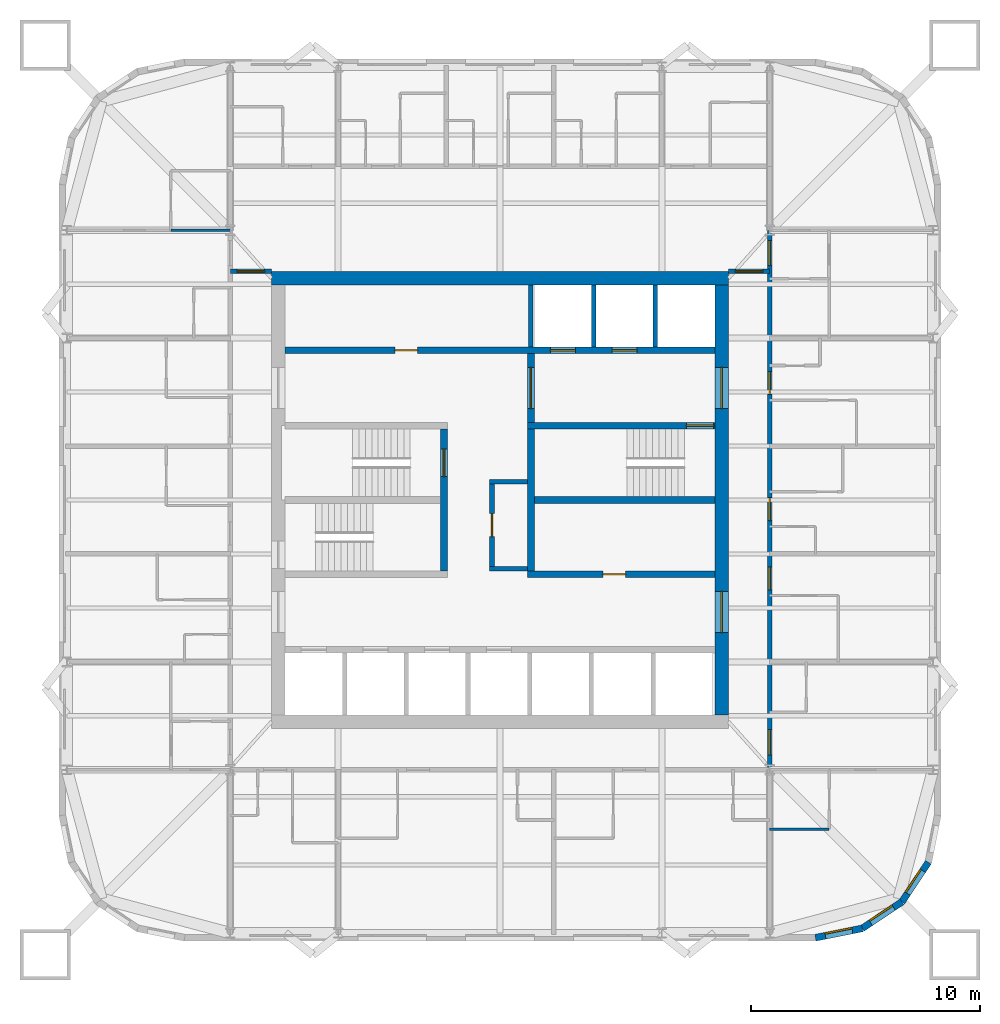
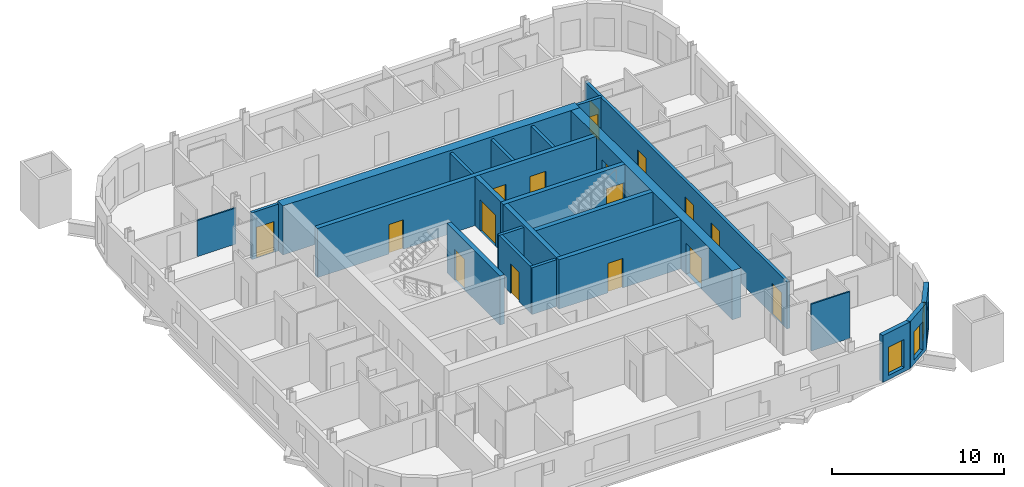
# One storey, part 5 of 10: 22 walls, 17 doors, 3 windows, 20 openings.
"""IFC4 building model written with IfcOpenShell, lengths in metres."""

import ifcopenshell
import ifcopenshell.guid

model = None  # the IFC model being written
_history = None  # IfcOwnerHistory: only IFC2X3 demands one
_inside = {}  # id of a spatial element -> (the spatial element, [elements in it])
_under = {}  # id of a project, library or spatial element -> (it, [spatial elements below it])
_declared = {}  # id of a project -> (the project, [libraries it declares])
_typed = {}  # id of a type object -> (the type object, [elements of that type])
_made_of = {}  # id of a material, layer set ... -> (it, [elements and type objects made of it])


def new_model(schema):
    """Start an empty IFC model of exactly this schema.

    Asked for "IFC4X3", IfcOpenShell would pick the latest addendum, in which some entities
    have other attributes; the version numbers below select the first issue.
    IFC2X3 requires an IfcOwnerHistory on every rooted entity: one is made here for all.
    """
    global model, _history
    if schema == "IFC4X3":
        model = ifcopenshell.file(schema_version=(4, 3, 0, 0))
    else:
        model = ifcopenshell.file(schema=schema)
    _inside.clear()
    _under.clear()
    _declared.clear()
    _typed.clear()
    _made_of.clear()
    _history = None
    if model.schema == "IFC2X3":
        org = make("IfcOrganization", Name="unknown")
        user = make(
            "IfcPersonAndOrganization",
            ThePerson=make("IfcPerson", FamilyName="unknown"),
            TheOrganization=org,
        )
        app = make(
            "IfcApplication",
            ApplicationDeveloper=org,
            Version="unknown",
            ApplicationFullName="unknown",
            ApplicationIdentifier="unknown",
        )
        _history = make(
            "IfcOwnerHistory",
            OwningUser=user,
            OwningApplication=app,
            ChangeAction="ADDED",
            CreationDate=0,
        )
    return model


def make(cls, **values):
    """One entity of the class cls with the attributes given. An attribute that is None is left unset."""
    return model.create_entity(
        cls, **{name: value for name, value in values.items() if value is not None}
    )


def rooted(cls, **values):
    """An entity with a GlobalId (a new one), such as an element, a storey or a relation."""
    return make(cls, GlobalId=ifcopenshell.guid.new(), OwnerHistory=_history, **values)


def si_unit(unit_type, name, prefix=None):
    """IfcSIUnit, for example si_unit("LENGTHUNIT", "METRE", prefix="MILLI")."""
    return make("IfcSIUnit", UnitType=unit_type, Prefix=prefix, Name=name)


def assignment(units):
    """IfcUnitAssignment: the units of a project."""
    return None if units is None else make("IfcUnitAssignment", Units=units)


def point(xyz):
    """IfcCartesianPoint."""
    return None if xyz is None else make("IfcCartesianPoint", Coordinates=xyz)


def direction(xyz):
    """IfcDirection."""
    return None if xyz is None else make("IfcDirection", DirectionRatios=xyz)


def frame(location, z_axis=None, x_axis=None):
    """IfcAxis2Placement3D, a coordinate frame: its origin and axes. An axis left out is left unset."""
    return make(
        "IfcAxis2Placement3D",
        Location=point(location),
        Axis=direction(z_axis),
        RefDirection=direction(x_axis),
    )


def frame_2d(location, x_axis=None):
    """IfcAxis2Placement2D, a coordinate frame in the plane: its origin and x axis."""
    return make(
        "IfcAxis2Placement2D", Location=point(location), RefDirection=direction(x_axis)
    )


def origin():
    """The frame at (0, 0, 0) with its axes left unset."""
    return frame((0.0, 0.0, 0.0))


def place(relative_to, where):
    """IfcLocalPlacement: puts the frame where relative to a parent placement (None: the world)."""
    return make(
        "IfcLocalPlacement", PlacementRelTo=relative_to, RelativePlacement=where
    )


def context(
    kind, dimensions, precision=None, world=None, true_north=None, identifier=None
):
    """IfcGeometricRepresentationContext, for example the 3D "Model" context."""
    return make(
        "IfcGeometricRepresentationContext",
        ContextIdentifier=identifier,
        ContextType=kind,
        CoordinateSpaceDimension=dimensions,
        Precision=precision,
        WorldCoordinateSystem=world,
        TrueNorth=true_north,
    )


def subcontext(parent, identifier, kind, view, scale=None):
    """IfcGeometricRepresentationSubContext, for example "Body" below "Model"."""
    return make(
        "IfcGeometricRepresentationSubContext",
        ContextIdentifier=identifier,
        ContextType=kind,
        ParentContext=parent,
        TargetScale=scale,
        TargetView=view,
    )


def project(units=None, contexts=None):
    """IfcProject with its units and contexts."""
    return rooted(
        "IfcProject",
        Name="project",
        RepresentationContexts=contexts,
        UnitsInContext=assignment(units),
    )


def spatial(cls, under=None, at=None, **own):
    """A site, building, storey or space (cls), placed at a placement, below another one or the project."""
    s = rooted(cls, ObjectPlacement=at, **own)
    if under is not None:
        _under.setdefault(under.id(), (under, []))[1].append(s)
    return s


def profile(cls, at=None, kind="AREA", **sizes):
    """A parametric profile (cls). Its sizes go by their IFC names, for example OverallWidth=200.0."""
    return make(cls, ProfileType=kind, Position=at, **sizes)


def rectangle(**sizes):
    """IfcRectangleProfileDef."""
    return profile("IfcRectangleProfileDef", **sizes)


def extrude(swept, where, along, depth):
    """IfcExtrudedAreaSolid: the profile swept, set in the frame where, extruded along a direction by depth."""
    return make(
        "IfcExtrudedAreaSolid",
        SweptArea=swept,
        Position=where,
        ExtrudedDirection=direction(along),
        Depth=depth,
    )


def shape(context_of_items, identifier, shape_type, items):
    """IfcShapeRepresentation: the items that make up one representation, for example the "Body"."""
    return make(
        "IfcShapeRepresentation",
        ContextOfItems=context_of_items,
        RepresentationIdentifier=identifier,
        RepresentationType=shape_type,
        Items=items,
    )


def material(Name=None, Category=None):
    """IfcMaterial."""
    return make("IfcMaterial", Name=Name, Category=Category)


def layer(
    of_material, thickness, ventilated=None, Name=None, Category=None, Priority=None
):
    """IfcMaterialLayer: one layer of a wall or slab, of a material (None: an air gap)."""
    return make(
        "IfcMaterialLayer",
        Material=of_material,
        LayerThickness=thickness,
        IsVentilated=ventilated,
        Name=Name,
        Category=Category,
        Priority=Priority,
    )


def layer_set(layers, Name=None):
    """IfcMaterialLayerSet."""
    return make("IfcMaterialLayerSet", MaterialLayers=layers, LayerSetName=Name)


def made_of(thing, what):
    """Note that an element or type object is made of a material, layer set ...; save() writes the relation."""
    if what is not None:
        _made_of.setdefault(what.id(), (what, []))[1].append(thing)
    return thing


def type_object(cls, material=None, **own):
    """A type object (cls), such as IfcWallType, which elements share."""
    return made_of(rooted(cls, **own), material)


def element(
    cls,
    number,
    at=None,
    inside=None,
    cuts=None,
    type_object=None,
    material=None,
    context=None,
    identifier="Body",
    shape_type=None,
    held_by="IfcProductDefinitionShape",
    body=None,
    shapes=None,
    **own,
):
    """One element of the class cls, such as IfcWall. Its Tag is "e" and its number.

    at: its placement. inside: the storey or other place that contains it. cuts: it is an
    opening in that element (IfcRelVoidsElement). A single representation is given by context,
    identifier, shape_type and body (its items); several are given by shapes. held_by: the class
    of the entity that holds the representations. save() writes the other relations.
    """
    e = rooted(cls, Tag="e%d" % number, ObjectPlacement=at, **own)
    if body is not None:
        shapes = [shape(context, identifier, shape_type, body)]
    if shapes is not None:
        e.Representation = make(held_by, Representations=shapes)
    if inside is not None:
        _inside.setdefault(inside.id(), (inside, []))[1].append(e)
    if cuts is not None:
        rooted(
            "IfcRelVoidsElement", RelatingBuildingElement=cuts, RelatedOpeningElement=e
        )
    if type_object is not None:
        _typed.setdefault(type_object.id(), (type_object, []))[1].append(e)
    return made_of(e, material)


def fill(opening, filler):
    """IfcRelFillsElement: the door or window that sits in an opening."""
    return rooted(
        "IfcRelFillsElement",
        RelatingOpeningElement=opening,
        RelatedBuildingElement=filler,
    )


def aggregate(whole, parts):
    """IfcRelAggregates: a whole, such as a stair, and the parts it consists of."""
    return rooted("IfcRelAggregates", RelatingObject=whole, RelatedObjects=parts)


def save(model, path):
    """Write the relations noted so far, then the file.

    IfcRelAggregates (storeys below a building ...), IfcRelContainedInSpatialStructure (elements
    in a storey), IfcRelDefinesByType, IfcRelAssociatesMaterial and IfcRelDeclares: one each for
    every whole, place, type object, material and project.
    """
    for whole, parts in _under.values():
        aggregate(whole, parts)
    for where, things in _inside.values():
        rooted(
            "IfcRelContainedInSpatialStructure",
            RelatedElements=things,
            RelatingStructure=where,
        )
    for kind, things in _typed.values():
        rooted("IfcRelDefinesByType", RelatedObjects=things, RelatingType=kind)
    for what, things in _made_of.values():
        rooted("IfcRelAssociatesMaterial", RelatedObjects=things, RelatingMaterial=what)
    for by, libraries in _declared.values():
        rooted("IfcRelDeclares", RelatingContext=by, RelatedDefinitions=libraries)
    model.write(path)


model = new_model("IFC4")

# Units and contexts
model_context = context("Model", 3, precision=1e-05, world=origin(), true_north=direction((0.0, 1.0)))
body_context = subcontext(model_context, "Body", "Model", "MODEL_VIEW")
ifc_project = project(units=[si_unit("LENGTHUNIT", "METRE"), si_unit("AREAUNIT", "SQUARE_METRE"), si_unit("VOLUMEUNIT", "CUBIC_METRE"), si_unit("PLANEANGLEUNIT", "RADIAN"), si_unit("MASSUNIT", "GRAM", prefix="KILO")], contexts=[model_context])

# Site, building, storey
site_placement = place(None, origin())
site = spatial("IfcSite", under=ifc_project, at=site_placement, CompositionType="ELEMENT")
building_placement = place(site_placement, origin())
building = spatial("IfcBuilding", under=site, at=building_placement, Name="Turquesa Mirador Hotel Tower", CompositionType="ELEMENT")
storey_placement = place(building_placement, frame((0.0, 0.0, 179.300048828125)))
storey = spatial("IfcBuildingStorey", under=building, at=storey_placement, Name="L48", CompositionType="ELEMENT", Elevation=179.300048828125)

# Walls
ifc_material_1 = material(Name="Gypsum board on steel studs", Category="steel")
ifc_layer_1 = layer(ifc_material_1, 0.10009765625)
ifc_layer_set_1 = layer_set([ifc_layer_1], Name="BATHROOM WALL 100")
wall_type_1 = type_object("IfcWallType", Name="BATHROOM WALL 100", PredefinedType="PARTITIONING", material=ifc_layer_set_1)
wall_1_placement = place(storey_placement, frame((66.800048828125, 30.60009765625, 0.0), z_axis=(0.0, 0.0, 1.0), x_axis=(1.0, 0.0, 0.0)))
element("IfcWall", 1, at=wall_1_placement, inside=storey, type_object=wall_type_1, Name="Partition L48 010", PredefinedType="PARTITIONING", context=body_context, shape_type="SweptSolid", body=[
    extrude(rectangle(XDim=2.599853515625, YDim=0.10009765625, at=frame_2d((1.2998046875, 0.0))), origin(), (0.0, 0.0, 1.0), 3.329833984375),
])
wall_2_placement = place(storey_placement, frame((40.60009765625, 56.800048828125, 0.0), z_axis=(0.0, 0.0, 1.0), x_axis=(1.0, 0.0, 0.0)))
element("IfcWall", 2, at=wall_2_placement, inside=storey, type_object=wall_type_1, Name="Partition L48 026", PredefinedType="PARTITIONING", context=body_context, shape_type="SweptSolid", body=[
    extrude(rectangle(XDim=2.599853515625, YDim=0.10009765625, at=frame_2d((1.2998046875, 0.0))), origin(), (0.0, 0.0, 1.0), 2.572998046875),
])

# Wall, openings, doors
ifc_material_2 = material(Name="Concrete C50/60", Category="concrete")
ifc_layer_2 = layer(ifc_material_2, 0.300048828125)
ifc_layer_set_2 = layer_set([ifc_layer_2], Name="CORE INNER WALL 300")
wall_type_2 = type_object("IfcWallType", Name="CORE INNER WALL 300", PredefinedType="SHEAR", material=ifc_layer_set_2)
wall_3_placement = place(storey_placement, frame((45.60009765625, 51.550048828125, 0.0), z_axis=(0.0, 0.0, 1.0), x_axis=(1.0, 0.0, 0.0)))
wall_3 = element("IfcWall", 3, at=wall_3_placement, inside=storey, type_object=wall_type_2, Name="Core wall NL", PredefinedType="SHEAR", context=body_context, shape_type="SweptSolid", body=[
    extrude(rectangle(XDim=18.7998046875, YDim=0.300048828125, at=frame_2d((9.39990234375, 0.0))), origin(), (0.0, 0.0, 1.0), 3.5),
])
opening_1_placement = place(wall_3_placement, frame((4.800048828125, 0.0, 0.0)))
opening_1 = element("IfcOpeningElement", 4, at=opening_1_placement, cuts=wall_3, Name="Opening D05", PredefinedType="OPENING", context=body_context, shape_type="SweptSolid", body=[
    extrude(rectangle(XDim=1.0, YDim=2.10009765625, at=frame_2d((0.5, 1.050048828125))), frame((0.0, 0.159912109375, 0.0), z_axis=(0.0, -1.0, 0.0), x_axis=(1.0, 0.0, 0.0)), (0.0, 0.0, 1.0), 0.320068359375),
])
opening_2_placement = place(wall_3_placement, frame((11.60009765625, 0.0, 0.0)))
opening_2 = element("IfcOpeningElement", 5, at=opening_2_placement, cuts=wall_3, Name="Opening LD", PredefinedType="OPENING", context=body_context, shape_type="SweptSolid", body=[
    extrude(rectangle(XDim=1.10009765625, YDim=2.199951171875, at=frame_2d((0.550048828125, 1.10009765625))), frame((0.0, 0.159912109375, 0.0), z_axis=(0.0, -1.0, 0.0), x_axis=(1.0, 0.0, 0.0)), (0.0, 0.0, 1.0), 0.320068359375),
])
opening_3_placement = place(wall_3_placement, frame((14.300048828125, 0.0, 0.0)))
opening_3 = element("IfcOpeningElement", 6, at=opening_3_placement, cuts=wall_3, Name="Opening LD", PredefinedType="OPENING", context=body_context, shape_type="SweptSolid", body=[
    extrude(rectangle(XDim=1.10009765625, YDim=2.199951171875, at=frame_2d((0.550048828125, 1.10009765625))), frame((0.0, 0.159912109375, 0.0), z_axis=(0.0, -1.0, 0.0), x_axis=(1.0, 0.0, 0.0)), (0.0, 0.0, 1.0), 0.320068359375),
])
ifc_material_3 = material(Name="Steel fire door", Category="steel")
door_type_1 = type_object("IfcDoorType", Name="DOOR 1000X2100 SERVICE", OperationType="SINGLE_SWING_LEFT", PredefinedType="DOOR", material=ifc_material_3)
door_1_placement = place(opening_1_placement, origin())
door_1 = element("IfcDoor", 7, at=door_1_placement, inside=storey, type_object=door_type_1, Name="Linen store door", OperationType="SINGLE_SWING_LEFT", OverallHeight=2.10009765625, OverallWidth=1.0, PredefinedType="DOOR", context=body_context, shape_type="SweptSolid", body=[
    extrude(rectangle(XDim=1.0, YDim=2.10009765625, at=frame_2d((0.5, 1.050048828125))), frame((0.0, 0.02490234375, 0.0), z_axis=(0.0, -1.0, 0.0), x_axis=(1.0, 0.0, 0.0)), (0.0, 0.0, 1.0), 0.050048828125),
])
fill(opening_1, door_1)
ifc_material_4 = material(Name="Stainless steel lift landing door", Category="steel")
door_type_2 = type_object("IfcDoorType", Name="LIFT LANDING DOOR 1100X2200", OperationType="SLIDING_TO_LEFT", PredefinedType="DOOR", material=ifc_material_4)
door_2_placement = place(opening_2_placement, origin())
door_2 = element("IfcDoor", 8, at=door_2_placement, inside=storey, type_object=door_type_2, Name="Lift S1 landing door", OperationType="SLIDING_TO_LEFT", OverallHeight=2.199951171875, OverallWidth=1.10009765625, PredefinedType="DOOR", context=body_context, shape_type="SweptSolid", body=[
    extrude(rectangle(XDim=1.10009765625, YDim=2.199951171875, at=frame_2d((0.550048828125, 1.10009765625))), frame((0.0, 0.02490234375, 0.0), z_axis=(0.0, -1.0, 0.0), x_axis=(1.0, 0.0, 0.0)), (0.0, 0.0, 1.0), 0.050048828125),
])
fill(opening_2, door_2)
door_3_placement = place(opening_3_placement, origin())
door_3 = element("IfcDoor", 9, at=door_3_placement, inside=storey, type_object=door_type_2, Name="Lift S2 landing door", OperationType="SLIDING_TO_LEFT", OverallHeight=2.199951171875, OverallWidth=1.10009765625, PredefinedType="DOOR", context=body_context, shape_type="SweptSolid", body=[
    extrude(rectangle(XDim=1.10009765625, YDim=2.199951171875, at=frame_2d((0.550048828125, 1.10009765625))), frame((0.0, 0.02490234375, 0.0), z_axis=(0.0, -1.0, 0.0), x_axis=(1.0, 0.0, 0.0)), (0.0, 0.0, 1.0), 0.050048828125),
])
fill(opening_3, door_3)

# Wall, opening, door
wall_4_placement = place(storey_placement, frame((56.199951171875, 48.25, 0.0), z_axis=(0.0, 0.0, 1.0), x_axis=(1.0, 0.0, 0.0)))
wall_4 = element("IfcWall", 10, at=wall_4_placement, inside=storey, type_object=wall_type_2, Name="Core wall MN-E", PredefinedType="SHEAR", context=body_context, shape_type="SweptSolid", body=[
    extrude(rectangle(XDim=8.199951171875, YDim=0.300048828125, at=frame_2d((4.10009765625, 0.0))), origin(), (0.0, 0.0, 1.0), 3.5),
])
opening_4_placement = place(wall_4_placement, frame((6.949951171875, 0.0, 0.0)))
opening_4 = element("IfcOpeningElement", 11, at=opening_4_placement, cuts=wall_4, Name="Opening D03", PredefinedType="OPENING", context=body_context, shape_type="SweptSolid", body=[
    extrude(rectangle(XDim=1.199951171875, YDim=2.199951171875, at=frame_2d((0.60009765625, 1.10009765625))), frame((0.0, 0.159912109375, 0.0), z_axis=(0.0, -1.0, 0.0), x_axis=(1.0, 0.0, 0.0)), (0.0, 0.0, 1.0), 0.320068359375),
])
ifc_material_5 = material(Name="Steel fire door", Category="steel")
door_type_3 = type_object("IfcDoorType", Name="DOOR 1200X2200 STAIR", OperationType="SINGLE_SWING_LEFT", PredefinedType="DOOR", material=ifc_material_5)
door_4_placement = place(opening_4_placement, origin())
door_4 = element("IfcDoor", 12, at=door_4_placement, inside=storey, type_object=door_type_3, Name="Stair ST3 door", OperationType="SINGLE_SWING_LEFT", OverallHeight=2.199951171875, OverallWidth=1.199951171875, PredefinedType="DOOR", context=body_context, shape_type="SweptSolid", body=[
    extrude(rectangle(XDim=1.199951171875, YDim=2.199951171875, at=frame_2d((0.60009765625, 1.10009765625))), frame((0.0, 0.02490234375, 0.0), z_axis=(0.0, -1.0, 0.0), x_axis=(1.0, 0.0, 0.0)), (0.0, 0.0, 1.0), 0.050048828125),
])
fill(opening_4, door_4)

wall_5_placement = place(storey_placement, frame((56.199951171875, 41.75, 0.0), z_axis=(0.0, 0.0, 1.0), x_axis=(1.0, 0.0, 0.0)))
wall_5 = element("IfcWall", 13, at=wall_5_placement, inside=storey, type_object=wall_type_2, Name="Core wall MS-E", PredefinedType="SHEAR", context=body_context, shape_type="SweptSolid", body=[
    extrude(rectangle(XDim=8.199951171875, YDim=0.300048828125, at=frame_2d((4.10009765625, 0.0))), origin(), (0.0, 0.0, 1.0), 3.5),
])
opening_5_placement = place(wall_5_placement, frame((3.300048828125, 0.0, 0.0)))
opening_5 = element("IfcOpeningElement", 14, at=opening_5_placement, cuts=wall_5, Name="Opening D05", PredefinedType="OPENING", context=body_context, shape_type="SweptSolid", body=[
    extrude(rectangle(XDim=1.0, YDim=2.10009765625, at=frame_2d((0.5, 1.050048828125))), frame((0.0, 0.159912109375, 0.0), z_axis=(0.0, -1.0, 0.0), x_axis=(1.0, 0.0, 0.0)), (0.0, 0.0, 1.0), 0.320068359375),
])
door_5_placement = place(opening_5_placement, origin())
door_5 = element("IfcDoor", 15, at=door_5_placement, inside=storey, type_object=door_type_1, Name="Housekeeping room door", OperationType="SINGLE_SWING_LEFT", OverallHeight=2.10009765625, OverallWidth=1.0, PredefinedType="DOOR", context=body_context, shape_type="SweptSolid", body=[
    extrude(rectangle(XDim=1.0, YDim=2.10009765625, at=frame_2d((0.5, 1.050048828125))), frame((0.0, 0.02490234375, 0.0), z_axis=(0.0, -1.0, 0.0), x_axis=(1.0, 0.0, 0.0)), (0.0, 0.0, 1.0), 0.050048828125),
])
fill(opening_5, door_5)

wall_6_placement = place(storey_placement, frame((52.550048828125, 41.89990234375, 0.0), z_axis=(0.0, 0.0, 1.0), x_axis=(0.0, 1.0, 0.0)))
wall_6 = element("IfcWall", 16, at=wall_6_placement, inside=storey, type_object=wall_type_2, Name="Core wall PW", PredefinedType="SHEAR", context=body_context, shape_type="SweptSolid", body=[
    extrude(rectangle(XDim=6.2001953125, YDim=0.300048828125, at=frame_2d((3.10009765625, 0.0))), origin(), (0.0, 0.0, 1.0), 3.5),
])
opening_6_placement = place(wall_6_placement, frame((4.125, 0.0, 0.0)))
opening_6 = element("IfcOpeningElement", 17, at=opening_6_placement, cuts=wall_6, Name="Opening D03", PredefinedType="OPENING", context=body_context, shape_type="SweptSolid", body=[
    extrude(rectangle(XDim=1.199951171875, YDim=2.199951171875, at=frame_2d((0.60009765625, 1.10009765625))), frame((0.0, 0.159912109375, 0.0), z_axis=(0.0, -1.0, 0.0), x_axis=(1.0, 0.0, 0.0)), (0.0, 0.0, 1.0), 0.320068359375),
])
door_6_placement = place(opening_6_placement, origin())
door_6 = element("IfcDoor", 18, at=door_6_placement, inside=storey, type_object=door_type_3, Name="Stair ST1 door", OperationType="SINGLE_SWING_LEFT", OverallHeight=2.199951171875, OverallWidth=1.199951171875, PredefinedType="DOOR", context=body_context, shape_type="SweptSolid", body=[
    extrude(rectangle(XDim=1.199951171875, YDim=2.199951171875, at=frame_2d((0.60009765625, 1.10009765625))), frame((0.0, 0.02490234375, 0.0), z_axis=(0.0, -1.0, 0.0), x_axis=(1.0, 0.0, 0.0)), (0.0, 0.0, 1.0), 0.050048828125),
])
fill(opening_6, door_6)

wall_7_placement = place(storey_placement, frame((56.35009765625, 41.89990234375, 0.0), z_axis=(0.0, 0.0, 1.0), x_axis=(0.0, 1.0, 0.0)))
wall_7 = element("IfcWall", 19, at=wall_7_placement, inside=storey, type_object=wall_type_2, Name="Core wall PE", PredefinedType="SHEAR", context=body_context, shape_type="SweptSolid", body=[
    extrude(rectangle(XDim=9.5, YDim=0.300048828125, at=frame_2d((4.75, 0.0))), origin(), (0.0, 0.0, 1.0), 3.5),
])
opening_7_placement = place(wall_7_placement, frame((7.10009765625, 0.0, 0.0)))
opening_7 = element("IfcOpeningElement", 20, at=opening_7_placement, cuts=wall_7, Name="Opening D04", PredefinedType="OPENING", context=body_context, shape_type="SweptSolid", body=[
    extrude(rectangle(XDim=1.800048828125, YDim=2.199951171875, at=frame_2d((0.89990234375, 1.10009765625))), frame((0.0, 0.159912109375, 0.0), z_axis=(0.0, -1.0, 0.0), x_axis=(1.0, 0.0, 0.0)), (0.0, 0.0, 1.0), 0.320068359375),
])
ifc_material_6 = material(Name="Steel fire door pair", Category="steel")
door_type_4 = type_object("IfcDoorType", Name="DOOR 1800X2200 PAIR", OperationType="DOUBLE_DOOR_SINGLE_SWING", PredefinedType="DOOR", material=ifc_material_6)
door_7_placement = place(opening_7_placement, origin())
door_7 = element("IfcDoor", 21, at=door_7_placement, inside=storey, type_object=door_type_4, Name="Firefighting lobby inner door", OperationType="DOUBLE_DOOR_SINGLE_SWING", OverallHeight=2.199951171875, OverallWidth=1.800048828125, PredefinedType="DOOR", context=body_context, shape_type="SweptSolid", body=[
    extrude(rectangle(XDim=1.800048828125, YDim=2.199951171875, at=frame_2d((0.89990234375, 1.10009765625))), frame((0.0, 0.02490234375, 0.0), z_axis=(0.0, -1.0, 0.0), x_axis=(1.0, 0.0, 0.0)), (0.0, 0.0, 1.0), 0.050048828125),
])
fill(opening_7, door_7)

# Walls
wall_8_placement = place(storey_placement, frame((56.5, 45.0, 0.0), z_axis=(0.0, 0.0, 1.0), x_axis=(1.0, 0.0, 0.0)))
element("IfcWall", 22, at=wall_8_placement, inside=storey, type_object=wall_type_2, Name="Core wall M0-E", PredefinedType="SHEAR", context=body_context, shape_type="SweptSolid", body=[
    extrude(rectangle(XDim=7.89990234375, YDim=0.300048828125, at=frame_2d((3.949951171875, 0.0))), origin(), (0.0, 0.0, 1.0), 3.5),
])
ifc_material_7 = material(Name="Concrete C50/60", Category="concrete")
ifc_layer_3 = layer(ifc_material_7, 0.60009765625)
ifc_layer_set_3 = layer_set([ifc_layer_3], Name="CORE WALL 600")
wall_type_3 = type_object("IfcWallType", Name="CORE WALL 600", PredefinedType="SHEAR", material=ifc_layer_set_3)
wall_9_placement = place(storey_placement, frame((45.0, 54.699951171875, 0.0), z_axis=(0.0, 0.0, 1.0), x_axis=(1.0, 0.0, 0.0)))
element("IfcWall", 23, at=wall_9_placement, inside=storey, type_object=wall_type_3, Name="Core wall N", PredefinedType="SHEAR", context=body_context, shape_type="SweptSolid", body=[
    extrude(rectangle(XDim=20.0, YDim=0.60009765625, at=frame_2d((10.0, 0.0))), origin(), (0.0, 0.0, 1.0), 3.5),
])

# Wall, openings, doors
wall_10_placement = place(storey_placement, frame((64.699951171875, 35.60009765625, 0.0), z_axis=(0.0, 0.0, 1.0), x_axis=(0.0, 1.0, 0.0)))
wall_10 = element("IfcWall", 24, at=wall_10_placement, inside=storey, type_object=wall_type_3, Name="Core wall E", PredefinedType="SHEAR", context=body_context, shape_type="SweptSolid", body=[
    extrude(rectangle(XDim=18.7998046875, YDim=0.60009765625, at=frame_2d((9.39990234375, 0.0))), origin(), (0.0, 0.0, 1.0), 3.5),
])
opening_8_placement = place(wall_10_placement, frame((13.39990234375, 0.0, 0.0)))
opening_8 = element("IfcOpeningElement", 25, at=opening_8_placement, cuts=wall_10, Name="Opening D04", PredefinedType="OPENING", context=body_context, shape_type="SweptSolid", body=[
    extrude(rectangle(XDim=1.800048828125, YDim=2.199951171875, at=frame_2d((0.89990234375, 1.10009765625))), frame((0.0, 0.31005859375, 0.0), z_axis=(0.0, -1.0, 0.0), x_axis=(1.0, 0.0, 0.0)), (0.0, 0.0, 1.0), 0.6201171875),
])
opening_9_placement = place(wall_10_placement, frame((3.60009765625, 0.0, 0.0)))
opening_9 = element("IfcOpeningElement", 26, at=opening_9_placement, cuts=wall_10, Name="Opening D04", PredefinedType="OPENING", context=body_context, shape_type="SweptSolid", body=[
    extrude(rectangle(XDim=1.800048828125, YDim=2.199951171875, at=frame_2d((0.89990234375, 1.10009765625))), frame((0.0, 0.31005859375, 0.0), z_axis=(0.0, -1.0, 0.0), x_axis=(1.0, 0.0, 0.0)), (0.0, 0.0, 1.0), 0.6201171875),
])
door_8_placement = place(opening_8_placement, origin())
door_8 = element("IfcDoor", 27, at=door_8_placement, inside=storey, type_object=door_type_4, Name="Firefighting lobby door", OperationType="DOUBLE_DOOR_SINGLE_SWING", OverallHeight=2.199951171875, OverallWidth=1.800048828125, PredefinedType="DOOR", context=body_context, shape_type="SweptSolid", body=[
    extrude(rectangle(XDim=1.800048828125, YDim=2.199951171875, at=frame_2d((0.89990234375, 1.10009765625))), frame((0.0, 0.02490234375, 0.0), z_axis=(0.0, -1.0, 0.0), x_axis=(1.0, 0.0, 0.0)), (0.0, 0.0, 1.0), 0.050048828125),
])
fill(opening_8, door_8)
door_9_placement = place(opening_9_placement, origin())
door_9 = element("IfcDoor", 28, at=door_9_placement, inside=storey, type_object=door_type_4, Name="South lift lobby door", OperationType="DOUBLE_DOOR_SINGLE_SWING", OverallHeight=2.199951171875, OverallWidth=1.800048828125, PredefinedType="DOOR", context=body_context, shape_type="SweptSolid", body=[
    extrude(rectangle(XDim=1.800048828125, YDim=2.199951171875, at=frame_2d((0.89990234375, 1.10009765625))), frame((0.0, 0.02490234375, 0.0), z_axis=(0.0, -1.0, 0.0), x_axis=(1.0, 0.0, 0.0)), (0.0, 0.0, 1.0), 0.050048828125),
])
fill(opening_9, door_9)

# Wall, opening, door
ifc_material_8 = material(Name="Fire-rated gypsum board on steel studs", Category="steel")
ifc_layer_4 = layer(ifc_material_8, 0.199951171875)
ifc_layer_set_4 = layer_set([ifc_layer_4], Name="CORRIDOR WALL 200")
wall_type_4 = type_object("IfcWallType", Name="CORRIDOR WALL 200", PredefinedType="PARTITIONING", material=ifc_layer_set_4)
wall_11_placement = place(storey_placement, frame((43.199951171875, 55.0, 0.0), z_axis=(0.0, 0.0, 1.0), x_axis=(1.0, 0.0, 0.0)))
wall_11 = element("IfcWall", 29, at=wall_11_placement, inside=storey, type_object=wall_type_4, Name="Partition L48 024", PredefinedType="PARTITIONING", context=body_context, shape_type="SweptSolid", body=[
    extrude(rectangle(XDim=1.800048828125, YDim=0.199951171875, at=frame_2d((0.89990234375, 0.0))), origin(), (0.0, 0.0, 1.0), 3.329833984375),
])
opening_10_placement = place(wall_11_placement, frame((0.300048828125, 0.0, 0.0)))
opening_10 = element("IfcOpeningElement", 30, at=opening_10_placement, cuts=wall_11, Name="Opening D19", PredefinedType="OPENING", context=body_context, shape_type="SweptSolid", body=[
    extrude(rectangle(XDim=1.199951171875, YDim=2.199951171875, at=frame_2d((0.60009765625, 1.10009765625))), frame((0.0, 0.10986328125, 0.0), z_axis=(0.0, -1.0, 0.0), x_axis=(1.0, 0.0, 0.0)), (0.0, 0.0, 1.0), 0.219970703125),
])
ifc_material_9 = material(Name="Steel glazed fire door", Category="steel")
door_type_5 = type_object("IfcDoorType", Name="DOOR 1200X2200 FIRE DOOR GLAZED", OperationType="SINGLE_SWING_LEFT", PredefinedType="DOOR", material=ifc_material_9)
door_10_placement = place(opening_10_placement, origin())
door_10 = element("IfcDoor", 31, at=door_10_placement, inside=storey, type_object=door_type_5, Name="Door L48-C03", OperationType="SINGLE_SWING_LEFT", OverallHeight=2.199951171875, OverallWidth=1.199951171875, PredefinedType="DOOR", context=body_context, shape_type="SweptSolid", body=[
    extrude(rectangle(XDim=1.199951171875, YDim=2.199951171875, at=frame_2d((0.60009765625, 1.10009765625))), frame((0.0, 0.02490234375, 0.0), z_axis=(0.0, -1.0, 0.0), x_axis=(1.0, 0.0, 0.0)), (0.0, 0.0, 1.0), 0.050048828125),
])
fill(opening_10, door_10)

wall_12_placement = place(storey_placement, frame((65.0, 55.0, 0.0), z_axis=(0.0, 0.0, 1.0), x_axis=(1.0, 0.0, 0.0)))
wall_12 = element("IfcWall", 32, at=wall_12_placement, inside=storey, type_object=wall_type_4, Name="Partition L48 025", PredefinedType="PARTITIONING", context=body_context, shape_type="SweptSolid", body=[
    extrude(rectangle(XDim=1.800048828125, YDim=0.199951171875, at=frame_2d((0.89990234375, 0.0))), origin(), (0.0, 0.0, 1.0), 3.329833984375),
])
opening_11_placement = place(wall_12_placement, frame((0.300048828125, 0.0, 0.0)))
opening_11 = element("IfcOpeningElement", 33, at=opening_11_placement, cuts=wall_12, Name="Opening D19", PredefinedType="OPENING", context=body_context, shape_type="SweptSolid", body=[
    extrude(rectangle(XDim=1.199951171875, YDim=2.199951171875, at=frame_2d((0.60009765625, 1.10009765625))), frame((0.0, 0.10986328125, 0.0), z_axis=(0.0, -1.0, 0.0), x_axis=(1.0, 0.0, 0.0)), (0.0, 0.0, 1.0), 0.219970703125),
])
door_11_placement = place(opening_11_placement, origin())
door_11 = element("IfcDoor", 34, at=door_11_placement, inside=storey, type_object=door_type_5, Name="Door L48-C03-1", OperationType="SINGLE_SWING_LEFT", OverallHeight=2.199951171875, OverallWidth=1.199951171875, PredefinedType="DOOR", context=body_context, shape_type="SweptSolid", body=[
    extrude(rectangle(XDim=1.199951171875, YDim=2.199951171875, at=frame_2d((0.60009765625, 1.10009765625))), frame((0.0, 0.02490234375, 0.0), z_axis=(0.0, -1.0, 0.0), x_axis=(1.0, 0.0, 0.0)), (0.0, 0.0, 1.0), 0.050048828125),
])
fill(opening_11, door_11)

# Wall, openings, doors
wall_13_placement = place(storey_placement, frame((66.800048828125, 33.199951171875, 0.0), z_axis=(0.0, 0.0, 1.0), x_axis=(0.0, 1.0, 0.0)))
wall_13 = element("IfcWall", 35, at=wall_13_placement, inside=storey, type_object=wall_type_4, Name="Partition L48 073", PredefinedType="PARTITIONING", context=body_context, shape_type="SweptSolid", body=[
    extrude(rectangle(XDim=23.580078125, YDim=0.199951171875, at=frame_2d((11.7900390625, 0.0))), origin(), (0.0, 0.0, 1.0), 3.329833984375),
])
opening_12_placement = place(wall_13_placement, frame((7.8701171875, 0.0, 0.0)))
opening_12 = element("IfcOpeningElement", 36, at=opening_12_placement, cuts=wall_13, Name="Opening D01", PredefinedType="OPENING", context=body_context, shape_type="SweptSolid", body=[
    extrude(rectangle(XDim=1.0, YDim=2.199951171875, at=frame_2d((0.5, 1.10009765625))), frame((0.0, 0.10986328125, 0.0), z_axis=(0.0, -1.0, 0.0), x_axis=(1.0, 0.0, 0.0)), (0.0, 0.0, 1.0), 0.219970703125),
])
opening_13_placement = place(wall_13_placement, frame((10.89990234375, 0.0, 0.0)))
opening_13 = element("IfcOpeningElement", 37, at=opening_13_placement, cuts=wall_13, Name="Opening D01", PredefinedType="OPENING", context=body_context, shape_type="SweptSolid", body=[
    extrude(rectangle(XDim=1.0, YDim=2.199951171875, at=frame_2d((0.5, 1.10009765625))), frame((0.0, 0.10986328125, 0.0), z_axis=(0.0, -1.0, 0.0), x_axis=(1.0, 0.0, 0.0)), (0.0, 0.0, 1.0), 0.219970703125),
])
opening_14_placement = place(wall_13_placement, frame((16.419921875, 0.0, 0.0)))
opening_14 = element("IfcOpeningElement", 38, at=opening_14_placement, cuts=wall_13, Name="Opening D01", PredefinedType="OPENING", context=body_context, shape_type="SweptSolid", body=[
    extrude(rectangle(XDim=1.0, YDim=2.199951171875, at=frame_2d((0.5, 1.10009765625))), frame((0.0, 0.10986328125, 0.0), z_axis=(0.0, -1.0, 0.0), x_axis=(1.0, 0.0, 0.0)), (0.0, 0.0, 1.0), 0.219970703125),
])
opening_15_placement = place(wall_13_placement, frame((22.050048828125, 0.0, 0.0)))
opening_15 = element("IfcOpeningElement", 39, at=opening_15_placement, cuts=wall_13, Name="Opening D15", PredefinedType="OPENING", context=body_context, shape_type="SweptSolid", body=[
    extrude(rectangle(XDim=1.10009765625, YDim=2.199951171875, at=frame_2d((0.550048828125, 1.10009765625))), frame((0.0, 0.10986328125, 0.0), z_axis=(0.0, -1.0, 0.0), x_axis=(1.0, 0.0, 0.0)), (0.0, 0.0, 1.0), 0.219970703125),
])
opening_16_placement = place(wall_13_placement, frame((0.64990234375, 0.0, 0.0)))
opening_16 = element("IfcOpeningElement", 40, at=opening_16_placement, cuts=wall_13, Name="Opening D15", PredefinedType="OPENING", context=body_context, shape_type="SweptSolid", body=[
    extrude(rectangle(XDim=1.10009765625, YDim=2.199951171875, at=frame_2d((0.550048828125, 1.10009765625))), frame((0.0, 0.10986328125, 0.0), z_axis=(0.0, -1.0, 0.0), x_axis=(1.0, 0.0, 0.0)), (0.0, 0.0, 1.0), 0.219970703125),
])
ifc_material_10 = material(Name="Timber veneered fire door", Category="wood")
door_type_6 = type_object("IfcDoorType", Name="DOOR 1000X2200 GUEST ENTRY", OperationType="SINGLE_SWING_LEFT", PredefinedType="DOOR", material=ifc_material_10)
door_12_placement = place(opening_12_placement, origin())
door_12 = element("IfcDoor", 41, at=door_12_placement, inside=storey, type_object=door_type_6, Name="Door 4809", OperationType="SINGLE_SWING_LEFT", OverallHeight=2.199951171875, OverallWidth=1.0, PredefinedType="DOOR", context=body_context, shape_type="SweptSolid", body=[
    extrude(rectangle(XDim=1.0, YDim=2.199951171875, at=frame_2d((0.5, 1.10009765625))), frame((0.0, 0.02490234375, 0.0), z_axis=(0.0, -1.0, 0.0), x_axis=(1.0, 0.0, 0.0)), (0.0, 0.0, 1.0), 0.050048828125),
])
fill(opening_12, door_12)
door_13_placement = place(opening_13_placement, origin())
door_13 = element("IfcDoor", 42, at=door_13_placement, inside=storey, type_object=door_type_6, Name="Door 4810", OperationType="SINGLE_SWING_LEFT", OverallHeight=2.199951171875, OverallWidth=1.0, PredefinedType="DOOR", context=body_context, shape_type="SweptSolid", body=[
    extrude(rectangle(XDim=1.0, YDim=2.199951171875, at=frame_2d((0.5, 1.10009765625))), frame((0.0, 0.02490234375, 0.0), z_axis=(0.0, -1.0, 0.0), x_axis=(1.0, 0.0, 0.0)), (0.0, 0.0, 1.0), 0.050048828125),
])
fill(opening_13, door_13)
door_14_placement = place(opening_14_placement, origin())
door_14 = element("IfcDoor", 43, at=door_14_placement, inside=storey, type_object=door_type_6, Name="Door 4811", OperationType="SINGLE_SWING_LEFT", OverallHeight=2.199951171875, OverallWidth=1.0, PredefinedType="DOOR", context=body_context, shape_type="SweptSolid", body=[
    extrude(rectangle(XDim=1.0, YDim=2.199951171875, at=frame_2d((0.5, 1.10009765625))), frame((0.0, 0.02490234375, 0.0), z_axis=(0.0, -1.0, 0.0), x_axis=(1.0, 0.0, 0.0)), (0.0, 0.0, 1.0), 0.050048828125),
])
fill(opening_14, door_14)
ifc_material_11 = material(Name="Timber veneered fire door", Category="wood")
door_type_7 = type_object("IfcDoorType", Name="DOOR 1100X2200 SUITE ENTRY", OperationType="SINGLE_SWING_LEFT", PredefinedType="DOOR", material=ifc_material_11)
door_15_placement = place(opening_15_placement, origin())
door_15 = element("IfcDoor", 44, at=door_15_placement, inside=storey, type_object=door_type_7, Name="Door 4815H", OperationType="SINGLE_SWING_LEFT", OverallHeight=2.199951171875, OverallWidth=1.10009765625, PredefinedType="DOOR", context=body_context, shape_type="SweptSolid", body=[
    extrude(rectangle(XDim=1.10009765625, YDim=2.199951171875, at=frame_2d((0.550048828125, 1.10009765625))), frame((0.0, 0.02490234375, 0.0), z_axis=(0.0, -1.0, 0.0), x_axis=(1.0, 0.0, 0.0)), (0.0, 0.0, 1.0), 0.050048828125),
])
fill(opening_15, door_15)
door_16_placement = place(opening_16_placement, origin())
door_16 = element("IfcDoor", 45, at=door_16_placement, inside=storey, type_object=door_type_7, Name="Door 4818", OperationType="SINGLE_SWING_LEFT", OverallHeight=2.199951171875, OverallWidth=1.10009765625, PredefinedType="DOOR", context=body_context, shape_type="SweptSolid", body=[
    extrude(rectangle(XDim=1.10009765625, YDim=2.199951171875, at=frame_2d((0.550048828125, 1.10009765625))), frame((0.0, 0.02490234375, 0.0), z_axis=(0.0, -1.0, 0.0), x_axis=(1.0, 0.0, 0.0)), (0.0, 0.0, 1.0), 0.050048828125),
])
fill(opening_16, door_16)

# Wall, opening, window
ifc_material_12 = material(Name="Limestone cladding on concrete block", Category="masonry")
ifc_layer_5 = layer(ifc_material_12, 0.300048828125)
ifc_layer_set_5 = layer_set([ifc_layer_5], Name="FACADE WALL 300 STONE SCREEN")
wall_type_5 = type_object("IfcWallType", Name="FACADE WALL 300 STONE SCREEN", PredefinedType="SOLIDWALL", material=ifc_layer_set_5)
wall_14_placement = place(storey_placement, frame((68.800048828125, 25.85009765625, 0.0), z_axis=(0.0, 0.0, 1.0), x_axis=(0.980787050784, 0.195081421501, 0.0)))
wall_14 = element("IfcWall", 46, at=wall_14_placement, inside=storey, type_object=wall_type_5, Name="Facade wall L48 00", PredefinedType="SOLIDWALL", context=body_context, shape_type="SweptSolid", body=[
    extrude(rectangle(XDim=2.08740234375, YDim=0.300048828125, at=frame_2d((1.043701171875, 0.0))), origin(), (0.0, 0.0, 1.0), 3.329833984375),
])
opening_17_placement = place(wall_14_placement, frame((0.443603515625, 0.0, 0.300048828125)))
opening_17 = element("IfcOpeningElement", 47, at=opening_17_placement, cuts=wall_14, Name="Opening WN4", PredefinedType="OPENING", context=body_context, shape_type="SweptSolid", body=[
    extrude(rectangle(XDim=1.199951171875, YDim=2.0, at=frame_2d((0.60009765625, 1.0))), frame((0.0, 0.159912109375, 0.0), z_axis=(0.0, -1.0, 0.0), x_axis=(1.0, 0.0, 0.0)), (0.0, 0.0, 1.0), 0.320068359375),
])
ifc_material_13 = material(Name="Ceramic-fritted laminated glass", Category="glass")
window_type = type_object("IfcWindowType", Name="FRITTED CORNER WINDOW 1200X2000", PartitioningType="DOUBLE_PANEL_HORIZONTAL", PredefinedType="WINDOW", material=ifc_material_13)
window_1_placement = place(opening_17_placement, origin())
window_1 = element("IfcWindow", 48, at=window_1_placement, inside=storey, type_object=window_type, Name="Window L48", OverallHeight=2.0, OverallWidth=1.199951171875, PartitioningType="SINGLE_PANEL", PredefinedType="WINDOW", context=body_context, shape_type="SweptSolid", body=[
    extrude(rectangle(XDim=1.199951171875, YDim=2.0, at=frame_2d((0.60009765625, 1.0))), frame((0.0, 0.130126953125, 0.0), z_axis=(0.0, -1.0, 0.0), x_axis=(1.0, 0.0, 0.0)), (0.0, 0.0, 1.0), 0.06005859375),
])
fill(opening_17, window_1)

wall_15_placement = place(storey_placement, frame((70.847412109375, 26.25732421875, 0.0), z_axis=(0.0, 0.0, 1.0), x_axis=(0.831474039234, 0.555563607591, 0.0)))
wall_15 = element("IfcWall", 49, at=wall_15_placement, inside=storey, type_object=wall_type_5, Name="Facade wall L48 01", PredefinedType="SOLIDWALL", context=body_context, shape_type="SweptSolid", body=[
    extrude(rectangle(XDim=2.08740234375, YDim=0.300048828125, at=frame_2d((1.043701171875, 0.0))), origin(), (0.0, 0.0, 1.0), 3.329833984375),
])
opening_18_placement = place(wall_15_placement, frame((0.443603515625, 0.0, 0.300048828125)))
opening_18 = element("IfcOpeningElement", 50, at=opening_18_placement, cuts=wall_15, Name="Opening WN4", PredefinedType="OPENING", context=body_context, shape_type="SweptSolid", body=[
    extrude(rectangle(XDim=1.199951171875, YDim=2.0, at=frame_2d((0.60009765625, 1.0))), frame((0.0, 0.159912109375, 0.0), z_axis=(0.0, -1.0, 0.0), x_axis=(1.0, 0.0, 0.0)), (0.0, 0.0, 1.0), 0.320068359375),
])
window_2_placement = place(opening_18_placement, origin())
window_2 = element("IfcWindow", 51, at=window_2_placement, inside=storey, type_object=window_type, Name="Window L48", OverallHeight=2.0, OverallWidth=1.199951171875, PartitioningType="SINGLE_PANEL", PredefinedType="WINDOW", context=body_context, shape_type="SweptSolid", body=[
    extrude(rectangle(XDim=1.199951171875, YDim=2.0, at=frame_2d((0.60009765625, 1.0))), frame((0.0, 0.130126953125, 0.0), z_axis=(0.0, -1.0, 0.0), x_axis=(1.0, 0.0, 0.0)), (0.0, 0.0, 1.0), 0.06005859375),
])
fill(opening_18, window_2)

wall_16_placement = place(storey_placement, frame((72.5830078125, 27.4169921875, 0.0), z_axis=(0.0, 0.0, 1.0), x_axis=(0.555563607591, 0.831474039234, 0.0)))
wall_16 = element("IfcWall", 52, at=wall_16_placement, inside=storey, type_object=wall_type_5, Name="Facade wall L48 02", PredefinedType="SOLIDWALL", context=body_context, shape_type="SweptSolid", body=[
    extrude(rectangle(XDim=2.08740234375, YDim=0.300048828125, at=frame_2d((1.043701171875, 0.0))), origin(), (0.0, 0.0, 1.0), 3.329833984375),
])
opening_19_placement = place(wall_16_placement, frame((0.443603515625, 0.0, 0.300048828125)))
opening_19 = element("IfcOpeningElement", 53, at=opening_19_placement, cuts=wall_16, Name="Opening WN4", PredefinedType="OPENING", context=body_context, shape_type="SweptSolid", body=[
    extrude(rectangle(XDim=1.199951171875, YDim=2.0, at=frame_2d((0.60009765625, 1.0))), frame((0.0, 0.159912109375, 0.0), z_axis=(0.0, -1.0, 0.0), x_axis=(1.0, 0.0, 0.0)), (0.0, 0.0, 1.0), 0.320068359375),
])
window_3_placement = place(opening_19_placement, origin())
window_3 = element("IfcWindow", 54, at=window_3_placement, inside=storey, type_object=window_type, Name="Window L48", OverallHeight=2.0, OverallWidth=1.199951171875, PartitioningType="SINGLE_PANEL", PredefinedType="WINDOW", context=body_context, shape_type="SweptSolid", body=[
    extrude(rectangle(XDim=1.199951171875, YDim=2.0, at=frame_2d((0.60009765625, 1.0))), frame((0.0, 0.130126953125, 0.0), z_axis=(0.0, -1.0, 0.0), x_axis=(1.0, 0.0, 0.0)), (0.0, 0.0, 1.0), 0.06005859375),
])
fill(opening_19, window_3)

# Wall, opening, door
ifc_material_14 = material(Name="Fire-rated gypsum board on steel studs", Category="steel")
ifc_layer_6 = layer(ifc_material_14, 0.199951171875)
ifc_layer_set_6 = layer_set([ifc_layer_6], Name="FIRE PARTITION 200")
wall_type_6 = type_object("IfcWallType", Name="FIRE PARTITION 200", PredefinedType="PARTITIONING", material=ifc_layer_set_6)
wall_17_placement = place(storey_placement, frame((54.64990234375, 42.0, 0.0), z_axis=(0.0, 0.0, 1.0), x_axis=(0.0, 1.0, 0.0)))
wall_17 = element("IfcWall", 55, at=wall_17_placement, inside=storey, type_object=wall_type_6, Name="Partition L48 RR W", PredefinedType="PARTITIONING", context=body_context, shape_type="SweptSolid", body=[
    extrude(rectangle(XDim=3.800048828125, YDim=0.199951171875, at=frame_2d((1.89990234375, 0.0))), origin(), (0.0, 0.0, 1.0), 3.329833984375),
])
opening_20_placement = place(wall_17_placement, frame((1.39990234375, 0.0, 0.0)))
opening_20 = element("IfcOpeningElement", 56, at=opening_20_placement, cuts=wall_17, Name="Opening D05", PredefinedType="OPENING", context=body_context, shape_type="SweptSolid", body=[
    extrude(rectangle(XDim=1.0, YDim=2.10009765625, at=frame_2d((0.5, 1.050048828125))), frame((0.0, 0.10986328125, 0.0), z_axis=(0.0, -1.0, 0.0), x_axis=(1.0, 0.0, 0.0)), (0.0, 0.0, 1.0), 0.219970703125),
])
door_17_placement = place(opening_20_placement, origin())
door_17 = element("IfcDoor", 57, at=door_17_placement, inside=storey, type_object=door_type_1, Name="Staff rest room door", OperationType="SINGLE_SWING_LEFT", OverallHeight=2.10009765625, OverallWidth=1.0, PredefinedType="DOOR", context=body_context, shape_type="SweptSolid", body=[
    extrude(rectangle(XDim=1.0, YDim=2.10009765625, at=frame_2d((0.5, 1.050048828125))), frame((0.0, 0.02490234375, 0.0), z_axis=(0.0, -1.0, 0.0), x_axis=(1.0, 0.0, 0.0)), (0.0, 0.0, 1.0), 0.050048828125),
])
fill(opening_20, door_17)

# Walls
for number, where, z_axis, x_axis, name in (
    (58, (54.550048828125, 42.0, 0.0), (0.0, 0.0, 1.0), (1.0, 0.0, 0.0), "Partition L48 RR S"),
    (59, (54.550048828125, 45.800048828125, 0.0), (0.0, 0.0, 1.0), (1.0, 0.0, 0.0), "Partition L48 RR N"),
):
    element("IfcWall", number, at=place(storey_placement, frame(where, z_axis=z_axis, x_axis=x_axis)), inside=storey, type_object=wall_type_6, Name=name, PredefinedType="PARTITIONING", context=body_context, shape_type="SweptSolid", body=[
        extrude(rectangle(XDim=1.64990234375, YDim=0.199951171875, at=frame_2d((0.824951171875, 0.0))), origin(), (0.0, 0.0, 1.0), 3.329833984375),
    ])
ifc_material_15 = material(Name="Fire-rated gypsum shaft wall on steel studs", Category="steel")
ifc_layer_7 = layer(ifc_material_15, 0.199951171875)
ifc_layer_set_7 = layer_set([ifc_layer_7], Name="LIFT SHAFT DIVIDER 200")
wall_type_7 = type_object("IfcWallType", Name="LIFT SHAFT DIVIDER 200", PredefinedType="PARTITIONING", material=ifc_layer_set_7)
for number, where, z_axis, x_axis, name in (
    (60, (59.10009765625, 51.699951171875, 0.0), (0.0, 0.0, 1.0), (0.0, 1.0, 0.0), "Lift shaft divider"),
    (61, (61.800048828125, 51.699951171875, 0.0), (0.0, 0.0, 1.0), (0.0, 1.0, 0.0), "Lift shaft divider"),
    (62, (56.35009765625, 51.699951171875, 0.0), (0.0, 0.0, 1.0), (0.0, 1.0, 0.0), "Lift shaft divider"),
):
    element("IfcWall", number, at=place(storey_placement, frame(where, z_axis=z_axis, x_axis=x_axis)), inside=storey, type_object=wall_type_7, Name=name, PredefinedType="PARTITIONING", context=body_context, shape_type="SweptSolid", body=[
        extrude(rectangle(XDim=2.699951171875, YDim=0.199951171875, at=frame_2d((1.35009765625, 0.0))), origin(), (0.0, 0.0, 1.0), 3.329833984375),
    ])

save(model, "model.ifc")
